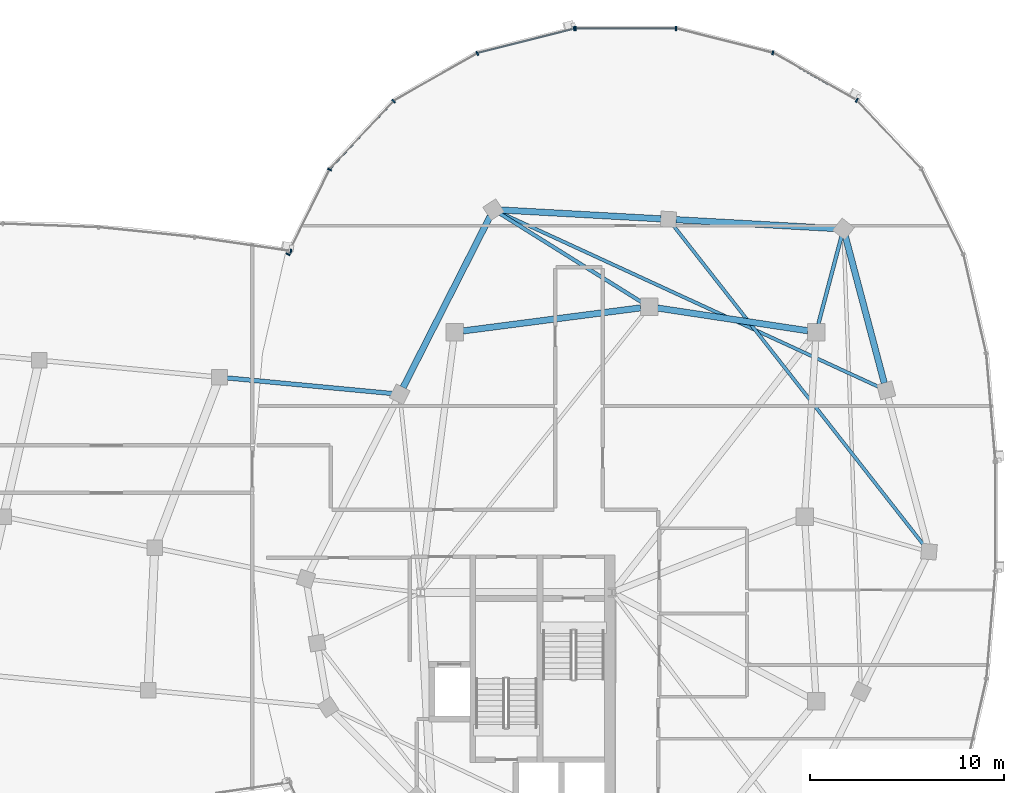
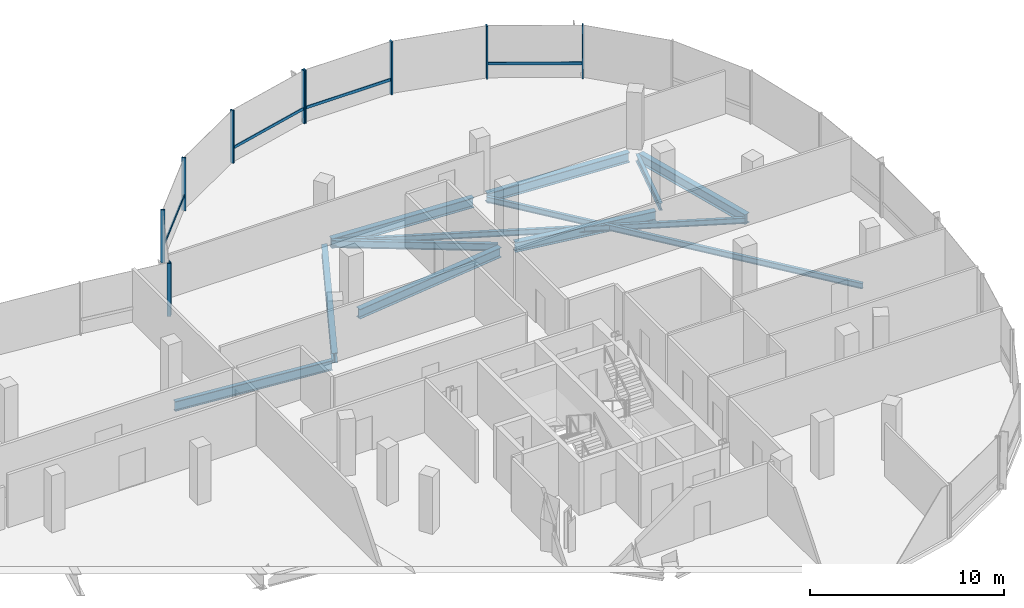
# One storey, part 10 of 26: 14 members, 11 beams, 3 elements without a shape of their own.
"""IFC4 building model written with IfcOpenShell, lengths in metres."""

from ifc_helpers import new_model, si_unit, direction, frame, origin, origin_2d, place, context, subcontext, project, spatial, rectangle, i_section, extrude, material, material_profile, profile_set, type_object, element, aggregate, save


model = new_model("IFC4")

# Units and contexts
model_context = context("Model", 3, precision=1e-05, world=origin(), true_north=direction((0.0, 1.0)))
body_context = subcontext(model_context, "Body", "Model", "MODEL_VIEW")
ifc_project = project(units=[si_unit("LENGTHUNIT", "METRE"), si_unit("AREAUNIT", "SQUARE_METRE"), si_unit("VOLUMEUNIT", "CUBIC_METRE"), si_unit("PLANEANGLEUNIT", "RADIAN"), si_unit("MASSUNIT", "GRAM", prefix="KILO"), si_unit("THERMODYNAMICTEMPERATUREUNIT", "KELVIN"), si_unit("POWERUNIT", "WATT")], contexts=[model_context])

# Site, building, storey
site_placement = place(None, origin())
site = spatial("IfcSite", under=ifc_project, at=site_placement, CompositionType="ELEMENT")
building_placement = place(site_placement, origin())
building = spatial("IfcBuilding", under=site, at=building_placement, Name="Cundina Bronze Exchange", CompositionType="ELEMENT")
storey_placement = place(building_placement, frame((0.0, 0.0, 261.199951171875)))
storey = spatial("IfcBuildingStorey", under=building, at=storey_placement, Name="L69", CompositionType="ELEMENT", Elevation=261.199951171875)

# Beams
ifc_material_1 = material(Name="Steel ASTM A992 Grade 50", Category="steel")
ifc_material_profile_1 = material_profile(ifc_material_1, i_section(OverallWidth=0.19091796875, OverallDepth=0.4599609375, WebThickness=0.010009765625, FlangeThickness=0.01611328125, FilletRadius=0.011962890625, at=origin_2d()), Name="W18X55", Category="steel")
ifc_profile_set_1 = profile_set([ifc_material_profile_1], Name="Steel ASTM A992 Grade 50")
beam_type_1 = type_object("IfcBeamType", Name="BM-FLR-W18B", PredefinedType="BEAM", material=ifc_profile_set_1)
beam_1_placement = place(storey_placement, frame((41.911865234375, 9.923583984375, -0.489990234375), z_axis=(0.255383723615, 0.96683977665, 0.0), x_axis=(-0.96683977665, 0.255383723615, 0.0)))
element("IfcBeam", 1, at=beam_1_placement, inside=storey, type_object=beam_type_1, Name="L69 Leg E Chordal Floor Beam 10", PredefinedType="BEAM", context=body_context, shape_type="SweptSolid", body=[
    extrude(i_section(OverallWidth=0.19091796875, OverallDepth=0.4599609375, WebThickness=0.010009765625, FlangeThickness=0.01611328125, FilletRadius=0.011962890625, at=origin_2d()), origin(), (0.0, 0.0, 1.0), 4.655517578125),
])
beam_2_placement = place(storey_placement, frame((32.82861328125, 11.031982421875, -0.489990234375), z_axis=(-0.847983963552, 0.530021884038, 0.0), x_axis=(-0.530021884038, -0.847983963552, 0.0)))
element("IfcBeam", 2, at=beam_2_placement, inside=storey, type_object=beam_type_1, Name="L69 Leg E Chordal Floor Beam 12", PredefinedType="BEAM", context=body_context, shape_type="SweptSolid", body=[
    extrude(i_section(OverallWidth=0.19091796875, OverallDepth=0.4599609375, WebThickness=0.010009765625, FlangeThickness=0.01611328125, FilletRadius=0.011962890625, at=origin_2d()), origin(), (0.0, 0.0, 1.0), 8.608154296875),
])
ifc_material_profile_2 = material_profile(ifc_material_1, i_section(OverallWidth=0.22998046875, OverallDepth=0.616943359375, WebThickness=0.01318359375, FlangeThickness=0.022216796875, FilletRadius=0.013916015625, at=origin_2d()), Name="W24X94", Category="steel")
ifc_profile_set_2 = profile_set([ifc_material_profile_2], Name="Steel ASTM A992 Grade 50")
beam_type_2 = type_object("IfcBeamType", Name="BM-FLR-W24B", PredefinedType="BEAM", material=ifc_profile_set_2)
beam_3_placement = place(storey_placement, frame((11.285400390625, 7.158203125, -0.62841796875), z_axis=(0.995572136276, -0.094000646124, 0.0), x_axis=(0.094000646124, 0.995572136276, 0.0)))
element("IfcBeam", 3, at=beam_3_placement, inside=storey, type_object=beam_type_2, Name="L69 Sky-Gate Longitudinal Girder Y3-P4", PredefinedType="BEAM", context=body_context, shape_type="SweptSolid", body=[
    extrude(i_section(OverallWidth=0.22998046875, OverallDepth=0.616943359375, WebThickness=0.01318359375, FlangeThickness=0.022216796875, FilletRadius=0.013916015625, at=origin_2d()), origin(), (0.0, 0.0, 1.0), 8.949951171875),
])
ifc_material_profile_3 = material_profile(ifc_material_1, i_section(OverallWidth=0.172119140625, OverallDepth=0.35791015625, WebThickness=0.0078125, FlangeThickness=0.01318359375, FilletRadius=0.010009765625, at=origin_2d()), Name="W14X38", Category="steel")
ifc_profile_set_3 = profile_set([ifc_material_profile_3], Name="Steel ASTM A992 Grade 50")
beam_type_3 = type_object("IfcBeamType", Name="BM-JST-W14", PredefinedType="JOIST", material=ifc_profile_set_3)
beam_4_placement = place(storey_placement, frame((47.360595703125, -1.49462890625, -0.43896484375), z_axis=(-0.616804005008, 0.78711677622, 0.0), x_axis=(-0.78711677622, -0.616804005008, 0.0)))
element("IfcBeam", 4, at=beam_4_placement, inside=storey, type_object=beam_type_3, Name="L69 Leg E Lobe Floor Joist 08-11", PredefinedType="JOIST", context=body_context, shape_type="SweptSolid", body=[
    extrude(i_section(OverallWidth=0.172119140625, OverallDepth=0.35791015625, WebThickness=0.0078125, FlangeThickness=0.01318359375, FilletRadius=0.010009765625, at=origin_2d()), origin(), (0.0, 0.0, 1.0), 20.948974609375),
])
beam_5_placement = place(storey_placement, frame((45.047607421875, 6.662353515625, -0.43896484375), z_axis=(-0.908356175703, 0.418197391266, 0.0), x_axis=(-0.418197391266, -0.908356175703, 0.0)))
element("IfcBeam", 5, at=beam_5_placement, inside=storey, type_object=beam_type_3, Name="L69 Leg E Lobe Floor Joist 09-12", PredefinedType="JOIST", context=body_context, shape_type="SweptSolid", body=[
    extrude(i_section(OverallWidth=0.172119140625, OverallDepth=0.35791015625, WebThickness=0.0078125, FlangeThickness=0.01318359375, FilletRadius=0.010009765625, at=origin_2d()), origin(), (0.0, 0.0, 1.0), 21.4619140625),
])
ifc_material_profile_4 = material_profile(ifc_material_1, i_section(OverallWidth=0.324951171875, OverallDepth=0.615966796875, WebThickness=0.013916015625, FlangeThickness=0.021484375, FilletRadius=0.01611328125, at=origin_2d()), Name="W24X117", Category="steel")
ifc_profile_set_4 = profile_set([ifc_material_profile_4], Name="Steel ASTM A992 Grade 50")
beam_type_4 = type_object("IfcBeamType", Name="BM-RING-W24", PredefinedType="USERDEFINED", material=ifc_profile_set_4)
beam_6_placement = place(storey_placement, frame((41.366943359375, 9.5654296875, -0.56787109375), z_axis=(-0.988764903598, 0.149478979839, 0.0), x_axis=(-0.149478979839, -0.988764903598, 0.0)))
element("IfcBeam", 6, at=beam_6_placement, inside=storey, type_object=beam_type_4, Name="L69 E Inner Structural Ring Girder 05", ObjectType="GIRDER", PredefinedType="USERDEFINED", context=body_context, shape_type="SweptSolid", body=[
    extrude(i_section(OverallWidth=0.324951171875, OverallDepth=0.615966796875, WebThickness=0.013916015625, FlangeThickness=0.021484375, FilletRadius=0.01611328125, at=origin_2d()), origin(), (0.0, 0.0, 1.0), 7.82177734375),
])
beam_7_placement = place(storey_placement, frame((32.765625, 10.743408203125, -0.56787109375), z_axis=(-0.991656498582, -0.128908451316, 0.0), x_axis=(0.128908451316, -0.991656498582, 0.0)))
element("IfcBeam", 7, at=beam_7_placement, inside=storey, type_object=beam_type_4, Name="L69 E Inner Structural Ring Girder 06", ObjectType="GIRDER", PredefinedType="USERDEFINED", context=body_context, shape_type="SweptSolid", body=[
    extrude(i_section(OverallWidth=0.324951171875, OverallDepth=0.615966796875, WebThickness=0.013916015625, FlangeThickness=0.021484375, FilletRadius=0.01611328125, at=origin_2d()), origin(), (0.0, 0.0, 1.0), 9.208251953125),
])
beam_8_placement = place(storey_placement, frame((45.300537109375, 6.875, -0.56787109375), z_axis=(-0.256212999207, 0.966620348967, 0.0), x_axis=(-0.966620348967, -0.256212999207, 0.0)))
element("IfcBeam", 8, at=beam_8_placement, inside=storey, type_object=beam_type_4, Name="L69 E Perimeter Ring Girder 09", ObjectType="GIRDER", PredefinedType="USERDEFINED", context=body_context, shape_type="SweptSolid", body=[
    extrude(i_section(OverallWidth=0.324951171875, OverallDepth=0.615966796875, WebThickness=0.013916015625, FlangeThickness=0.021484375, FilletRadius=0.01611328125, at=origin_2d()), origin(), (0.0, 0.0, 1.0), 7.810791015625),
])
for number, where, z_axis, x_axis, name in (
    (9, (42.8125, 14.821533203125, -0.56787109375), (-0.998459806018, 0.055479868117, 0.0), (-0.055479868117, -0.998459806018, 0.0), "L69 E Perimeter Ring Girder 10"),
    (10, (33.8125, 15.321533203125, -0.56787109375), (-0.998459806018, 0.055479868117, 0.0), (-0.055479868117, -0.998459806018, 0.0), "L69 E Perimeter Ring Girder 11"),
):
    element("IfcBeam", number, at=place(storey_placement, frame(where, z_axis=z_axis, x_axis=x_axis)), inside=storey, type_object=beam_type_4, Name=name, ObjectType="GIRDER", PredefinedType="USERDEFINED", context=body_context, shape_type="SweptSolid", body=[
        extrude(i_section(OverallWidth=0.324951171875, OverallDepth=0.615966796875, WebThickness=0.013916015625, FlangeThickness=0.021484375, FilletRadius=0.01611328125, at=origin_2d()), origin(), (0.0, 0.0, 1.0), 8.23779296875),
    ])
beam_9_placement = place(storey_placement, frame((25.0244140625, 15.4541015625, -0.56787109375), z_axis=(-0.452839263805, -0.891592171991, 0.0), x_axis=(0.891592171991, -0.452839263805, 0.0)))
element("IfcBeam", 11, at=beam_9_placement, inside=storey, type_object=beam_type_4, Name="L69 E Perimeter Ring Girder 12", ObjectType="GIRDER", PredefinedType="USERDEFINED", context=body_context, shape_type="SweptSolid", body=[
    extrude(i_section(OverallWidth=0.324951171875, OverallDepth=0.615966796875, WebThickness=0.013916015625, FlangeThickness=0.021484375, FilletRadius=0.01611328125, at=origin_2d()), origin(), (0.0, 0.0, 1.0), 9.879150390625),
])

# Curtain wall, members
ifc_material_2 = material(Name="Anodised Bronze Aluminium 6063-T6", Category="aluminium")
curtain_wall_type = type_object("IfcCurtainWallType", Name="CWS-SKG-BRG", PredefinedType="NOTDEFINED", material=ifc_material_2)
curtain_wall_1_placement = place(storey_placement, origin())
curtain_wall_1 = element("IfcCurtainWall", 12, at=curtain_wall_1_placement, inside=storey, type_object=curtain_wall_type, Name="L69 CW-06 Curtain Wall Run CWR-L69-E1", PredefinedType="NOTDEFINED")
ifc_material_profile_5 = material_profile(ifc_material_2, rectangle(XDim=0.074951171875, YDim=0.219970703125, at=origin_2d()), Name="AL75X220", Category="aluminium")
ifc_profile_set_5 = profile_set([ifc_material_profile_5], Name="Anodised Bronze Aluminium 6063-T6")
member_type_1 = type_object("IfcMemberType", Name="CWM-MUL-220", PredefinedType="MULLION", material=ifc_profile_set_5)
member_1_placement = place(storey_placement, frame((43.88916015625, 21.419921875, 0.0), z_axis=(0.0, 0.0, 1.0), x_axis=(-0.86958112538, 0.493790103568, 0.0)))
member_1 = element("IfcMember", 13, at=member_1_placement, type_object=member_type_1, Name="CW-06 Mullion 5", PredefinedType="MULLION", context=body_context, shape_type="SweptSolid", body=[
    extrude(rectangle(XDim=0.074951171875, YDim=0.219970703125, at=origin_2d()), origin(), (0.0, 0.0, 1.0), 3.340087890625),
])
member_2_placement = place(storey_placement, frame((39.5703125, 23.86181640625, 0.0), z_axis=(0.0, 0.0, 1.0), x_axis=(-0.969744325821, 0.244122802168, 0.0)))
member_2 = element("IfcMember", 14, at=member_2_placement, type_object=member_type_1, Name="CW-06 Mullion 6", PredefinedType="MULLION", context=body_context, shape_type="SweptSolid", body=[
    extrude(rectangle(XDim=0.074951171875, YDim=0.219970703125, at=origin_2d()), origin(), (0.0, 0.0, 1.0), 3.340087890625),
])
member_3_placement = place(storey_placement, frame((34.576416015625, 25.110107421875, 0.0), z_axis=(0.0, 0.0, 1.0), x_axis=(-1.0, 0.0, 0.0)))
member_3 = element("IfcMember", 15, at=member_3_placement, type_object=member_type_1, Name="CW-06 Mullion 7", PredefinedType="MULLION", context=body_context, shape_type="SweptSolid", body=[
    extrude(rectangle(XDim=0.074951171875, YDim=0.219970703125, at=origin_2d()), origin(), (0.0, 0.0, 1.0), 3.340087890625),
])
member_4_placement = place(storey_placement, frame((29.423583984375, 25.110107421875, 0.0), z_axis=(0.0, 0.0, 1.0), x_axis=(-1.0, 0.0, 0.0)))
member_4 = element("IfcMember", 16, at=member_4_placement, type_object=member_type_1, Name="CW-06 End Mullion", PredefinedType="MULLION", context=body_context, shape_type="SweptSolid", body=[
    extrude(rectangle(XDim=0.074951171875, YDim=0.219970703125, at=origin_2d()), origin(), (0.0, 0.0, 1.0), 3.340087890625),
])

curtain_wall_2_placement = place(storey_placement, origin())
curtain_wall_2 = element("IfcCurtainWall", 17, at=curtain_wall_2_placement, inside=storey, type_object=curtain_wall_type, Name="L69 CW-06 Curtain Wall Run CWR-L69-E2", PredefinedType="NOTDEFINED")
member_5_placement = place(storey_placement, frame((29.351806640625, 25.10107421875, 0.0), z_axis=(0.0, 0.0, 1.0), x_axis=(-0.969744325821, -0.244122802168, 0.0)))
member_5 = element("IfcMember", 18, at=member_5_placement, type_object=member_type_1, Name="CW-06 Mullion 1", PredefinedType="MULLION", context=body_context, shape_type="SweptSolid", body=[
    extrude(rectangle(XDim=0.074951171875, YDim=0.219970703125, at=origin_2d()), origin(), (0.0, 0.0, 1.0), 3.340087890625),
])
member_6_placement = place(storey_placement, frame((24.365478515625, 23.8359375, 0.0), z_axis=(0.0, 0.0, 1.0), x_axis=(-0.86958112538, -0.493790103568, 0.0)))
member_6 = element("IfcMember", 19, at=member_6_placement, type_object=member_type_1, Name="CW-06 Mullion 2", PredefinedType="MULLION", context=body_context, shape_type="SweptSolid", body=[
    extrude(rectangle(XDim=0.074951171875, YDim=0.219970703125, at=origin_2d()), origin(), (0.0, 0.0, 1.0), 3.340087890625),
])
member_7_placement = place(storey_placement, frame((20.059814453125, 21.3798828125, 0.0), z_axis=(0.0, 0.0, 1.0), x_axis=(-0.684292606175, -0.729207535023, 0.0)))
member_7 = element("IfcMember", 20, at=member_7_placement, type_object=member_type_1, Name="CW-06 Mullion 3", PredefinedType="MULLION", context=body_context, shape_type="SweptSolid", body=[
    extrude(rectangle(XDim=0.074951171875, YDim=0.219970703125, at=origin_2d()), origin(), (0.0, 0.0, 1.0), 3.340087890625),
])
member_8_placement = place(storey_placement, frame((16.7666015625, 17.856689453125, 0.0), z_axis=(0.0, 0.0, 1.0), x_axis=(-0.440566004113, -0.897720221461, 0.0)))
member_8 = element("IfcMember", 21, at=member_8_placement, type_object=member_type_1, Name="CW-06 Mullion 4", PredefinedType="MULLION", context=body_context, shape_type="SweptSolid", body=[
    extrude(rectangle(XDim=0.074951171875, YDim=0.219970703125, at=origin_2d()), origin(), (0.0, 0.0, 1.0), 3.340087890625),
])
member_9_placement = place(storey_placement, frame((14.630859375, 13.50390625, 0.0), z_axis=(0.0, 0.0, 1.0), x_axis=(-0.440566004113, -0.897720221461, 0.0)))
member_9 = element("IfcMember", 22, at=member_9_placement, type_object=member_type_1, Name="CW-06 End Mullion", PredefinedType="MULLION", context=body_context, shape_type="SweptSolid", body=[
    extrude(rectangle(XDim=0.074951171875, YDim=0.219970703125, at=origin_2d()), origin(), (0.0, 0.0, 1.0), 3.340087890625),
])

# Curtain wall, member
curtain_wall_3_placement = place(storey_placement, origin())
curtain_wall_3 = element("IfcCurtainWall", 23, at=curtain_wall_3_placement, inside=storey, type_object=curtain_wall_type, Name="L69 CW-06 Curtain Wall Run CWR-L69-BRGN", PredefinedType="NOTDEFINED")
member_10_placement = place(storey_placement, frame((14.779296875, 13.658935546875, 0.0), z_axis=(0.0, 0.0, 1.0), x_axis=(-0.989525789069, 0.144356201001, 0.0)))
member_10 = element("IfcMember", 24, at=member_10_placement, type_object=member_type_1, Name="CW-06 Mullion 1", PredefinedType="MULLION", context=body_context, shape_type="SweptSolid", body=[
    extrude(rectangle(XDim=0.074951171875, YDim=0.219970703125, at=origin_2d()), origin(), (0.0, 0.0, 1.0), 3.280029296875),
])
aggregate(curtain_wall_3, [member_10])

# Member
ifc_material_profile_6 = material_profile(ifc_material_2, rectangle(XDim=0.070068359375, YDim=0.179931640625, at=origin_2d()), Name="AL70X180", Category="aluminium")
ifc_profile_set_6 = profile_set([ifc_material_profile_6], Name="Anodised Bronze Aluminium 6063-T6")
member_type_2 = type_object("IfcMemberType", Name="CWM-TRN-180", PredefinedType="USERDEFINED", material=ifc_profile_set_6)
member_11_placement = place(storey_placement, frame((43.853271484375, 21.440185546875, 0.920166015625), z_axis=(-0.869557366176, 0.493831941989, 0.0), x_axis=(-0.493831941989, -0.869557366176, 0.0)))
member_11 = element("IfcMember", 25, at=member_11_placement, type_object=member_type_2, Name="CW-06 Spandrel Transom 5", ObjectType="TRANSOM", PredefinedType="USERDEFINED", context=body_context, shape_type="SweptSolid", body=[
    extrude(rectangle(XDim=0.070068359375, YDim=0.179931640625, at=origin_2d()), origin(), (0.0, 0.0, 1.0), 4.892822265625),
])

member_12_placement = place(storey_placement, frame((34.53515625, 25.110107421875, 0.920166015625), z_axis=(-1.0, 0.0, 0.0), x_axis=(0.0, -1.0, 0.0)))
member_12 = element("IfcMember", 26, at=member_12_placement, type_object=member_type_2, Name="CW-06 Spandrel Transom 7", ObjectType="TRANSOM", PredefinedType="USERDEFINED", context=body_context, shape_type="SweptSolid", body=[
    extrude(rectangle(XDim=0.070068359375, YDim=0.179931640625, at=origin_2d()), origin(), (0.0, 0.0, 1.0), 5.070556640625),
])

aggregate(curtain_wall_1, [member_1, member_11, member_2, member_3, member_4, member_12])

member_13_placement = place(storey_placement, frame((29.311767578125, 25.091064453125, 0.920166015625), z_axis=(-0.969736547481, -0.244153698478, 0.0), x_axis=(0.244153698478, -0.969736547481, 0.0)))
member_13 = element("IfcMember", 27, at=member_13_placement, type_object=member_type_2, Name="CW-06 Spandrel Transom 1", ObjectType="TRANSOM", PredefinedType="USERDEFINED", context=body_context, shape_type="SweptSolid", body=[
    extrude(rectangle(XDim=0.070068359375, YDim=0.179931640625, at=origin_2d()), origin(), (0.0, 0.0, 1.0), 5.07568359375),
])

member_14_placement = place(storey_placement, frame((20.031494140625, 21.349609375, 0.920166015625), z_axis=(-0.684328474899, -0.729173873944, 0.0), x_axis=(0.729173873944, -0.684328474899, 0.0)))
member_14 = element("IfcMember", 28, at=member_14_placement, type_object=member_type_2, Name="CW-06 Spandrel Transom 3", ObjectType="TRANSOM", PredefinedType="USERDEFINED", context=body_context, shape_type="SweptSolid", body=[
    extrude(rectangle(XDim=0.070068359375, YDim=0.179931640625, at=origin_2d()), origin(), (0.0, 0.0, 1.0), 4.758056640625),
])

aggregate(curtain_wall_2, [member_5, member_13, member_6, member_7, member_14, member_8, member_9])

save(model, "model.ifc")
